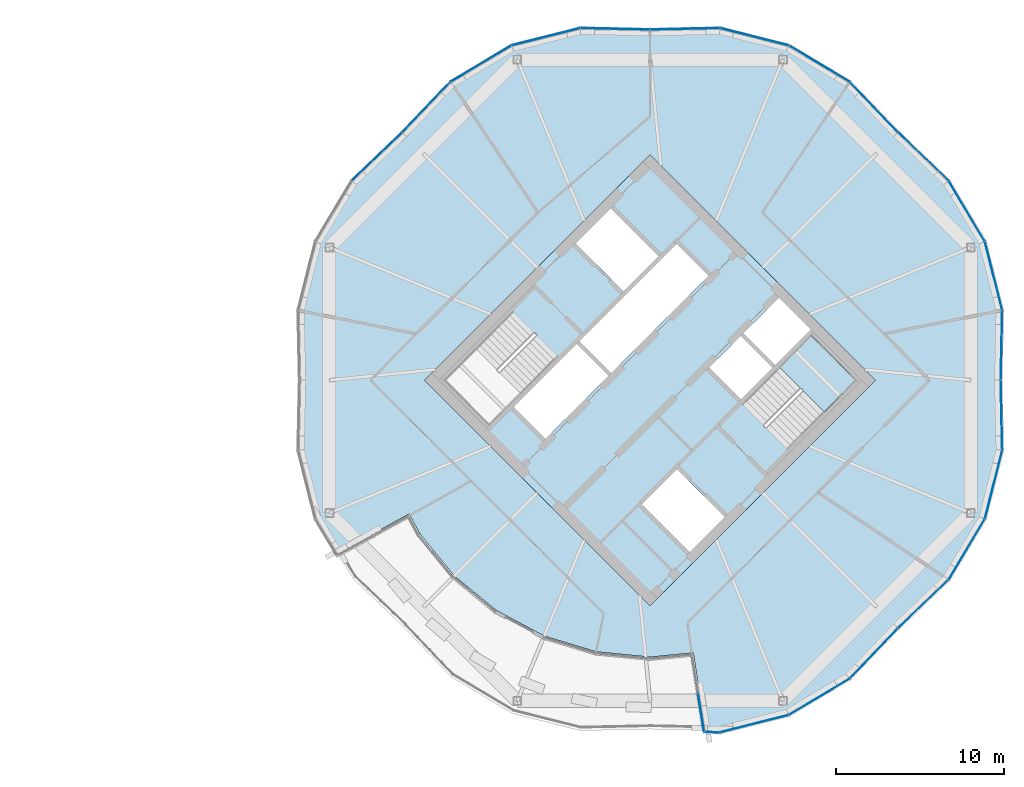
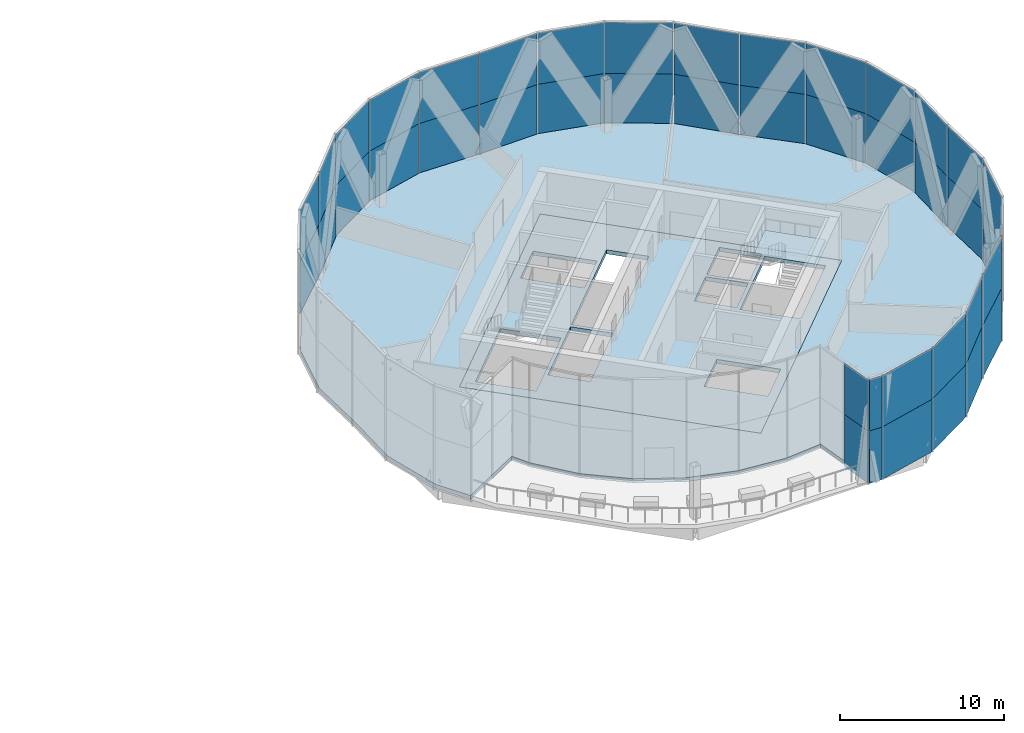
# One storey, part 17 of 26: 44 plates, 3 slabs, 7 elements without a shape of their own.
"""IFC4 building model written with IfcOpenShell, lengths in metres."""

import ifcopenshell
import ifcopenshell.guid

model = None  # the IFC model being written
_history = None  # IfcOwnerHistory: only IFC2X3 demands one
_inside = {}  # id of a spatial element -> (the spatial element, [elements in it])
_under = {}  # id of a project, library or spatial element -> (it, [spatial elements below it])
_declared = {}  # id of a project -> (the project, [libraries it declares])
_typed = {}  # id of a type object -> (the type object, [elements of that type])
_made_of = {}  # id of a material, layer set ... -> (it, [elements and type objects made of it])


def new_model(schema):
    """Start an empty IFC model of exactly this schema.

    Asked for "IFC4X3", IfcOpenShell would pick the latest addendum, in which some entities
    have other attributes; the version numbers below select the first issue.
    IFC2X3 requires an IfcOwnerHistory on every rooted entity: one is made here for all.
    """
    global model, _history
    if schema == "IFC4X3":
        model = ifcopenshell.file(schema_version=(4, 3, 0, 0))
    else:
        model = ifcopenshell.file(schema=schema)
    _inside.clear()
    _under.clear()
    _declared.clear()
    _typed.clear()
    _made_of.clear()
    _history = None
    if model.schema == "IFC2X3":
        org = make("IfcOrganization", Name="unknown")
        user = make(
            "IfcPersonAndOrganization",
            ThePerson=make("IfcPerson", FamilyName="unknown"),
            TheOrganization=org,
        )
        app = make(
            "IfcApplication",
            ApplicationDeveloper=org,
            Version="unknown",
            ApplicationFullName="unknown",
            ApplicationIdentifier="unknown",
        )
        _history = make(
            "IfcOwnerHistory",
            OwningUser=user,
            OwningApplication=app,
            ChangeAction="ADDED",
            CreationDate=0,
        )
    return model


def make(cls, **values):
    """One entity of the class cls with the attributes given. An attribute that is None is left unset."""
    return model.create_entity(
        cls, **{name: value for name, value in values.items() if value is not None}
    )


def rooted(cls, **values):
    """An entity with a GlobalId (a new one), such as an element, a storey or a relation."""
    return make(cls, GlobalId=ifcopenshell.guid.new(), OwnerHistory=_history, **values)


def si_unit(unit_type, name, prefix=None):
    """IfcSIUnit, for example si_unit("LENGTHUNIT", "METRE", prefix="MILLI")."""
    return make("IfcSIUnit", UnitType=unit_type, Prefix=prefix, Name=name)


def assignment(units):
    """IfcUnitAssignment: the units of a project."""
    return None if units is None else make("IfcUnitAssignment", Units=units)


def point(xyz):
    """IfcCartesianPoint."""
    return None if xyz is None else make("IfcCartesianPoint", Coordinates=xyz)


def direction(xyz):
    """IfcDirection."""
    return None if xyz is None else make("IfcDirection", DirectionRatios=xyz)


def frame(location, z_axis=None, x_axis=None):
    """IfcAxis2Placement3D, a coordinate frame: its origin and axes. An axis left out is left unset."""
    return make(
        "IfcAxis2Placement3D",
        Location=point(location),
        Axis=direction(z_axis),
        RefDirection=direction(x_axis),
    )


def frame_2d(location, x_axis=None):
    """IfcAxis2Placement2D, a coordinate frame in the plane: its origin and x axis."""
    return make(
        "IfcAxis2Placement2D", Location=point(location), RefDirection=direction(x_axis)
    )


def origin():
    """The frame at (0, 0, 0) with its axes left unset."""
    return frame((0.0, 0.0, 0.0))


def origin_2d():
    """The frame at (0, 0) in the plane with its x axis left unset."""
    return frame_2d((0.0, 0.0))


def place(relative_to, where):
    """IfcLocalPlacement: puts the frame where relative to a parent placement (None: the world)."""
    return make(
        "IfcLocalPlacement", PlacementRelTo=relative_to, RelativePlacement=where
    )


def context(
    kind, dimensions, precision=None, world=None, true_north=None, identifier=None
):
    """IfcGeometricRepresentationContext, for example the 3D "Model" context."""
    return make(
        "IfcGeometricRepresentationContext",
        ContextIdentifier=identifier,
        ContextType=kind,
        CoordinateSpaceDimension=dimensions,
        Precision=precision,
        WorldCoordinateSystem=world,
        TrueNorth=true_north,
    )


def subcontext(parent, identifier, kind, view, scale=None):
    """IfcGeometricRepresentationSubContext, for example "Body" below "Model"."""
    return make(
        "IfcGeometricRepresentationSubContext",
        ContextIdentifier=identifier,
        ContextType=kind,
        ParentContext=parent,
        TargetScale=scale,
        TargetView=view,
    )


def project(units=None, contexts=None):
    """IfcProject with its units and contexts."""
    return rooted(
        "IfcProject",
        Name="project",
        RepresentationContexts=contexts,
        UnitsInContext=assignment(units),
    )


def spatial(cls, under=None, at=None, **own):
    """A site, building, storey or space (cls), placed at a placement, below another one or the project."""
    s = rooted(cls, ObjectPlacement=at, **own)
    if under is not None:
        _under.setdefault(under.id(), (under, []))[1].append(s)
    return s


def polyline(points):
    """IfcPolyline through the points."""
    return make("IfcPolyline", Points=[point(p) for p in points])


def profile(cls, at=None, kind="AREA", **sizes):
    """A parametric profile (cls). Its sizes go by their IFC names, for example OverallWidth=200.0."""
    return make(cls, ProfileType=kind, Position=at, **sizes)


def rectangle(**sizes):
    """IfcRectangleProfileDef."""
    return profile("IfcRectangleProfileDef", **sizes)


def outline(outer, holes=None, kind="AREA"):
    """IfcArbitraryClosedProfileDef: a profile drawn as a closed curve; with holes, ...WithVoids."""
    if holes is None:
        return make("IfcArbitraryClosedProfileDef", ProfileType=kind, OuterCurve=outer)
    return make(
        "IfcArbitraryProfileDefWithVoids",
        ProfileType=kind,
        OuterCurve=outer,
        InnerCurves=holes,
    )


def extrude(swept, where, along, depth):
    """IfcExtrudedAreaSolid: the profile swept, set in the frame where, extruded along a direction by depth."""
    return make(
        "IfcExtrudedAreaSolid",
        SweptArea=swept,
        Position=where,
        ExtrudedDirection=direction(along),
        Depth=depth,
    )


def shape(context_of_items, identifier, shape_type, items):
    """IfcShapeRepresentation: the items that make up one representation, for example the "Body"."""
    return make(
        "IfcShapeRepresentation",
        ContextOfItems=context_of_items,
        RepresentationIdentifier=identifier,
        RepresentationType=shape_type,
        Items=items,
    )


def material(Name=None, Category=None):
    """IfcMaterial."""
    return make("IfcMaterial", Name=Name, Category=Category)


def layer(
    of_material, thickness, ventilated=None, Name=None, Category=None, Priority=None
):
    """IfcMaterialLayer: one layer of a wall or slab, of a material (None: an air gap)."""
    return make(
        "IfcMaterialLayer",
        Material=of_material,
        LayerThickness=thickness,
        IsVentilated=ventilated,
        Name=Name,
        Category=Category,
        Priority=Priority,
    )


def layer_set(layers, Name=None):
    """IfcMaterialLayerSet."""
    return make("IfcMaterialLayerSet", MaterialLayers=layers, LayerSetName=Name)


def made_of(thing, what):
    """Note that an element or type object is made of a material, layer set ...; save() writes the relation."""
    if what is not None:
        _made_of.setdefault(what.id(), (what, []))[1].append(thing)
    return thing


def type_object(cls, material=None, **own):
    """A type object (cls), such as IfcWallType, which elements share."""
    return made_of(rooted(cls, **own), material)


def element(
    cls,
    number,
    at=None,
    inside=None,
    cuts=None,
    type_object=None,
    material=None,
    context=None,
    identifier="Body",
    shape_type=None,
    held_by="IfcProductDefinitionShape",
    body=None,
    shapes=None,
    **own,
):
    """One element of the class cls, such as IfcWall. Its Tag is "e" and its number.

    at: its placement. inside: the storey or other place that contains it. cuts: it is an
    opening in that element (IfcRelVoidsElement). A single representation is given by context,
    identifier, shape_type and body (its items); several are given by shapes. held_by: the class
    of the entity that holds the representations. save() writes the other relations.
    """
    e = rooted(cls, Tag="e%d" % number, ObjectPlacement=at, **own)
    if body is not None:
        shapes = [shape(context, identifier, shape_type, body)]
    if shapes is not None:
        e.Representation = make(held_by, Representations=shapes)
    if inside is not None:
        _inside.setdefault(inside.id(), (inside, []))[1].append(e)
    if cuts is not None:
        rooted(
            "IfcRelVoidsElement", RelatingBuildingElement=cuts, RelatedOpeningElement=e
        )
    if type_object is not None:
        _typed.setdefault(type_object.id(), (type_object, []))[1].append(e)
    return made_of(e, material)


def aggregate(whole, parts):
    """IfcRelAggregates: a whole, such as a stair, and the parts it consists of."""
    return rooted("IfcRelAggregates", RelatingObject=whole, RelatedObjects=parts)


def save(model, path):
    """Write the relations noted so far, then the file.

    IfcRelAggregates (storeys below a building ...), IfcRelContainedInSpatialStructure (elements
    in a storey), IfcRelDefinesByType, IfcRelAssociatesMaterial and IfcRelDeclares: one each for
    every whole, place, type object, material and project.
    """
    for whole, parts in _under.values():
        aggregate(whole, parts)
    for where, things in _inside.values():
        rooted(
            "IfcRelContainedInSpatialStructure",
            RelatedElements=things,
            RelatingStructure=where,
        )
    for kind, things in _typed.values():
        rooted("IfcRelDefinesByType", RelatedObjects=things, RelatingType=kind)
    for what, things in _made_of.values():
        rooted("IfcRelAssociatesMaterial", RelatedObjects=things, RelatingMaterial=what)
    for by, libraries in _declared.values():
        rooted("IfcRelDeclares", RelatingContext=by, RelatedDefinitions=libraries)
    model.write(path)


model = new_model("IFC4")

# Units and contexts
model_context = context("Model", 3, precision=1e-05, world=origin(), true_north=direction((0.0, 1.0)))
body_context = subcontext(model_context, "Body", "Model", "MODEL_VIEW")
ifc_project = project(units=[si_unit("LENGTHUNIT", "METRE"), si_unit("AREAUNIT", "SQUARE_METRE"), si_unit("VOLUMEUNIT", "CUBIC_METRE"), si_unit("PLANEANGLEUNIT", "RADIAN"), si_unit("MASSUNIT", "GRAM", prefix="KILO")], contexts=[model_context])

# Site, building, storey
site_placement = place(None, origin())
site = spatial("IfcSite", under=ifc_project, at=site_placement, CompositionType="ELEMENT")
building_placement = place(site_placement, origin())
building = spatial("IfcBuilding", under=site, at=building_placement, Name="Ogive Gate Towers", CompositionType="ELEMENT")
storey_placement = place(building_placement, frame((0.0, 0.0, 208.5)))
storey = spatial("IfcBuildingStorey", under=building, at=storey_placement, Name="L50", CompositionType="ELEMENT", Elevation=208.5)

# Slabs
ifc_material_1 = material(Name="Concrete C40/50", Category="concrete")
ifc_layer_1 = layer(ifc_material_1, 0.300048828125)
ifc_layer_set_1 = layer_set([ifc_layer_1], Name="Core slab C40/50 300 mm")
slab_type_1 = type_object("IfcSlabType", Name="Core slab C40/50 300 mm", PredefinedType="FLOOR", material=ifc_layer_set_1)
slab_1_placement = place(storey_placement, frame((0.0, 0.0, -0.300048828125)))
element("IfcSlab", 1, at=slab_1_placement, inside=storey, type_object=slab_type_1, Name="T2 L50 core slab", PredefinedType="FLOOR", context=body_context, shape_type="SweptSolid", body=[
    extrude(outline(polyline([(36.0, -13.43505859375), (22.56494140625, 0.0), (36.0, 13.43505859375), (49.43505859375, 0.0), (36.0, -13.43505859375)]), holes=[polyline([(29.759765625, -3.482421875), (33.50732421875, 0.26513671875), (31.615966796875, 2.15673828125), (27.868408203125, -1.591064453125), (29.759765625, -3.482421875)]), polyline([(31.792724609375, 2.33349609375), (33.68408203125, 0.44189453125), (39.482421875, 6.240234375), (37.591064453125, 8.131591796875), (31.792724609375, 2.33349609375)]), polyline([(41.3916015625, 2.634033203125), (39.517822265625, 0.760009765625), (41.409423828125, -1.13134765625), (43.283203125, 0.742431640625), (41.3916015625, 2.634033203125)]), polyline([(45.563720703125, 3.02294921875), (43.672119140625, 4.914306640625), (41.568603515625, 2.810791015625), (43.4599609375, 0.919189453125), (45.563720703125, 3.02294921875)]), polyline([(34.408935546875, 5.30322265625), (36.4951171875, 7.389404296875), (33.64892578125, 10.2353515625), (31.56298828125, 8.1494140625), (34.408935546875, 5.30322265625)]), polyline([(35.5048828125, -7.389404296875), (38.35107421875, -10.2353515625), (40.43701171875, -8.1494140625), (37.591064453125, -5.30322265625), (35.5048828125, -7.389404296875)]), polyline([(26.40087890625, -2.70458984375), (30.512939453125, 1.406982421875), (27.80810546875, 4.11181640625), (23.6962890625, 0.0), (26.40087890625, -2.70458984375)]), polyline([(48.3037109375, 0.0), (45.59912109375, 2.70458984375), (41.487060546875, -1.406982421875), (44.19189453125, -4.11181640625), (48.3037109375, 0.0)])]), origin(), (0.0, 0.0, 1.0), 0.300048828125),
])
ifc_material_2 = material(Name="Concrete C35/45", Category="concrete")
ifc_layer_2 = layer(ifc_material_2, 0.300048828125)
ifc_layer_set_2 = layer_set([ifc_layer_2], Name="Floor slab 300")
slab_type_2 = type_object("IfcSlabType", Name="Floor slab 300", PredefinedType="FLOOR", material=ifc_layer_set_2)
slab_2_placement = place(storey_placement, frame((0.0, 0.0, -0.300048828125)))
element("IfcSlab", 2, at=slab_2_placement, inside=storey, type_object=slab_type_2, Name="T2/L50/SSL001", PredefinedType="FLOOR", context=body_context, shape_type="SweptSolid", body=[
    extrude(outline(polyline([(15.109375, -4.155517578125), (16.136474609375, -8.227783203125), (17.385009765625, -10.318359375), (21.636474609375, -7.961669921875), (22.28076171875, -9.1669921875), (24.332763671875, -11.667236328125), (26.8330078125, -13.71923828125), (29.685791015625, -15.243896484375), (32.781005859375, -16.182861328125), (36.0, -16.5), (38.5732421875, -16.24658203125), (39.305908203125, -20.8720703125), (40.155517578125, -20.890625), (44.227783203125, -19.863525390625), (47.833740234375, -17.710205078125), (50.707763671875, -14.707763671875), (53.710205078125, -11.833740234375), (55.863525390625, -8.227783203125), (56.890625, -4.155517578125), (56.800048828125, 0.0), (56.890625, 4.155517578125), (55.863525390625, 8.227783203125), (53.710205078125, 11.833740234375), (50.707763671875, 14.707763671875), (47.833740234375, 17.710205078125), (44.227783203125, 19.863525390625), (40.155517578125, 20.890625), (36.0, 20.800048828125), (31.844482421875, 20.890625), (27.772216796875, 19.863525390625), (24.166259765625, 17.710205078125), (21.292236328125, 14.707763671875), (18.289794921875, 11.833740234375), (16.136474609375, 8.227783203125), (15.109375, 4.155517578125), (15.199951171875, 0.0), (15.109375, -4.155517578125)]), holes=[polyline([(49.43505859375, 0.0), (36.0, -13.43505859375), (22.56494140625, 0.0), (36.0, 13.43505859375), (49.43505859375, 0.0)])]), origin(), (0.0, 0.0, 1.0), 0.300048828125),
])

# Stair, slab
stair_type = type_object("IfcStairType", Name="Escape stair 1840 wide", PredefinedType="HALF_TURN_STAIR", material=ifc_material_1)
stair_placement = place(storey_placement, origin())
stair = element("IfcStair", 3, at=stair_placement, inside=storey, type_object=stair_type, Name="L50 Escape stair 2", PredefinedType="HALF_TURN_STAIR")
ifc_layer_3 = layer(ifc_material_1, 0.199951171875)
ifc_layer_set_3 = layer_set([ifc_layer_3], Name="Stair landing 200 mm")
slab_type_3 = type_object("IfcSlabType", Name="Stair landing 200 mm", PredefinedType="LANDING", material=ifc_layer_set_3)
slab_3_placement = place(storey_placement, frame((0.0, 0.0, 1.75)))
slab_3 = element("IfcSlab", 4, at=slab_3_placement, type_object=slab_type_3, Name="ST2 landing 1", PredefinedType="LANDING", context=body_context, shape_type="SweptSolid", body=[
    extrude(outline(polyline([(46.3955078125, -1.908203125), (48.3037109375, 0.0), (45.598876953125, 2.70458984375), (43.690673828125, 0.79638671875), (46.3955078125, -1.908203125)])), origin(), (0.0, 0.0, 1.0), 0.199951171875),
])
aggregate(stair, [slab_3])

# Curtain wall, plates
ifc_material_3 = material(Name="Pale metal aluminium", Category="aluminium")
curtain_wall_type = type_object("IfcCurtainWallType", Name="Tower unitised wall, high zone", PredefinedType="NOTDEFINED", material=ifc_material_3)
curtain_wall_1_placement = place(storey_placement, origin())
curtain_wall_1 = element("IfcCurtainWall", 5, at=curtain_wall_1_placement, inside=storey, type_object=curtain_wall_type, Name="CW2 T2 ECW04", PredefinedType="NOTDEFINED")
ifc_material_4 = material(Name="Clear glass", Category="glass")
ifc_layer_4 = layer(ifc_material_4, 0.028076171875)
ifc_layer_set_4 = layer_set([ifc_layer_4], Name="Tower unitised wall, high zone glass panel")
plate_type = type_object("IfcPlateType", Name="Tower unitised wall, high zone glass panel", PredefinedType="CURTAIN_PANEL", material=ifc_layer_set_4)
plate_1_placement = place(storey_placement, frame((52.282470703125, 13.3388671875, -0.300048828125), z_axis=(0.0, 0.0, 1.0), x_axis=(0.722376031129, -0.691500448047, 0.0)))
plate_1 = element("IfcPlate", 6, at=plate_1_placement, type_object=plate_type, Name="CW2 glass panel", PredefinedType="CURTAIN_PANEL", context=body_context, shape_type="SweptSolid", body=[
    extrude(rectangle(XDim=4.10986328125, YDim=0.028076171875, at=origin_2d()), origin(), (0.0, 0.0, 1.0), 3.89990234375),
])
plate_2_placement = place(storey_placement, frame((52.282470703125, 13.3388671875, 3.60009765625), z_axis=(0.0, 0.0, 1.0), x_axis=(0.722376031129, -0.691500448047, 0.0)))
plate_2 = element("IfcPlate", 7, at=plate_2_placement, type_object=plate_type, Name="CW2 glass panel", PredefinedType="CURTAIN_PANEL", context=body_context, shape_type="SweptSolid", body=[
    extrude(rectangle(XDim=4.10986328125, YDim=0.028076171875, at=origin_2d()), origin(), (0.0, 0.0, 1.0), 3.803955078125),
])
plate_3_placement = place(storey_placement, frame((54.873046875, 10.08154296875, -0.300048828125), z_axis=(0.0, 0.0, 1.0), x_axis=(0.512672377733, -0.858584319161, 0.0)))
plate_3 = element("IfcPlate", 8, at=plate_3_placement, type_object=plate_type, Name="CW2 glass panel", PredefinedType="CURTAIN_PANEL", context=body_context, shape_type="SweptSolid", body=[
    extrude(rectangle(XDim=4.166015625, YDim=0.028076171875, at=origin_2d()), origin(), (0.0, 0.0, 1.0), 3.89990234375),
])
plate_4_placement = place(storey_placement, frame((54.873046875, 10.08154296875, 3.60009765625), z_axis=(0.0, 0.0, 1.0), x_axis=(0.512672377733, -0.858584319161, 0.0)))
plate_4 = element("IfcPlate", 9, at=plate_4_placement, type_object=plate_type, Name="CW2 glass panel", PredefinedType="CURTAIN_PANEL", context=body_context, shape_type="SweptSolid", body=[
    extrude(rectangle(XDim=4.166015625, YDim=0.028076171875, at=origin_2d()), origin(), (0.0, 0.0, 1.0), 3.803955078125),
])
plate_5_placement = place(storey_placement, frame((56.473876953125, 6.216552734375, -0.300048828125), z_axis=(0.0, 0.0, 1.0), x_axis=(0.244613602588, -0.969620639956, 0.0)))
plate_5 = element("IfcPlate", 10, at=plate_5_placement, type_object=plate_type, Name="CW2 glass panel", PredefinedType="CURTAIN_PANEL", context=body_context, shape_type="SweptSolid", body=[
    extrude(rectangle(XDim=4.166015625, YDim=0.028076171875, at=origin_2d()), origin(), (0.0, 0.0, 1.0), 3.89990234375),
])
plate_6_placement = place(storey_placement, frame((56.473876953125, 6.216552734375, 3.60009765625), z_axis=(0.0, 0.0, 1.0), x_axis=(0.244613602588, -0.969620639956, 0.0)))
plate_6 = element("IfcPlate", 11, at=plate_6_placement, type_object=plate_type, Name="CW2 glass panel", PredefinedType="CURTAIN_PANEL", context=body_context, shape_type="SweptSolid", body=[
    extrude(rectangle(XDim=4.166015625, YDim=0.028076171875, at=origin_2d()), origin(), (0.0, 0.0, 1.0), 3.803955078125),
])
plate_7_placement = place(storey_placement, frame((56.945556640625, 2.08154296875, -0.300048828125), z_axis=(0.0, 0.0, 1.0), x_axis=(-0.02183233417, -0.999761646186, 0.0)))
plate_7 = element("IfcPlate", 12, at=plate_7_placement, type_object=plate_type, Name="CW2 glass panel", PredefinedType="CURTAIN_PANEL", context=body_context, shape_type="SweptSolid", body=[
    extrude(rectangle(XDim=4.10986328125, YDim=0.028076171875, at=origin_2d()), origin(), (0.0, 0.0, 1.0), 3.89990234375),
])
plate_8_placement = place(storey_placement, frame((56.945556640625, 2.08154296875, 3.60009765625), z_axis=(0.0, 0.0, 1.0), x_axis=(-0.02183233417, -0.999761646186, 0.0)))
plate_8 = element("IfcPlate", 13, at=plate_8_placement, type_object=plate_type, Name="CW2 glass panel", PredefinedType="CURTAIN_PANEL", context=body_context, shape_type="SweptSolid", body=[
    extrude(rectangle(XDim=4.10986328125, YDim=0.028076171875, at=origin_2d()), origin(), (0.0, 0.0, 1.0), 3.803955078125),
])
aggregate(curtain_wall_1, [plate_1, plate_2, plate_3, plate_4, plate_5, plate_6, plate_7, plate_8])

curtain_wall_2_placement = place(storey_placement, origin())
curtain_wall_2 = element("IfcCurtainWall", 14, at=curtain_wall_2_placement, inside=storey, type_object=curtain_wall_type, Name="CW2 T2 ECW05", PredefinedType="NOTDEFINED")
plate_9_placement = place(storey_placement, frame((38.08154296875, 20.945556640625, -0.300048828125), z_axis=(0.0, 0.0, 1.0), x_axis=(0.999761646186, 0.02183233417, 0.0)))
plate_9 = element("IfcPlate", 15, at=plate_9_placement, type_object=plate_type, Name="CW2 glass panel", PredefinedType="CURTAIN_PANEL", context=body_context, shape_type="SweptSolid", body=[
    extrude(rectangle(XDim=4.10986328125, YDim=0.028076171875, at=origin_2d()), origin(), (0.0, 0.0, 1.0), 3.89990234375),
])
plate_10_placement = place(storey_placement, frame((38.08154296875, 20.945556640625, 3.60009765625), z_axis=(0.0, 0.0, 1.0), x_axis=(0.999761646186, 0.02183233417, 0.0)))
plate_10 = element("IfcPlate", 16, at=plate_10_placement, type_object=plate_type, Name="CW2 glass panel", PredefinedType="CURTAIN_PANEL", context=body_context, shape_type="SweptSolid", body=[
    extrude(rectangle(XDim=4.10986328125, YDim=0.028076171875, at=origin_2d()), origin(), (0.0, 0.0, 1.0), 3.803955078125),
])
plate_11_placement = place(storey_placement, frame((42.216552734375, 20.473876953125, -0.300048828125), z_axis=(0.0, 0.0, 1.0), x_axis=(0.969620639956, -0.244613602588, 0.0)))
plate_11 = element("IfcPlate", 17, at=plate_11_placement, type_object=plate_type, Name="CW2 glass panel", PredefinedType="CURTAIN_PANEL", context=body_context, shape_type="SweptSolid", body=[
    extrude(rectangle(XDim=4.166015625, YDim=0.028076171875, at=origin_2d()), origin(), (0.0, 0.0, 1.0), 3.89990234375),
])
plate_12_placement = place(storey_placement, frame((42.216552734375, 20.473876953125, 3.60009765625), z_axis=(0.0, 0.0, 1.0), x_axis=(0.969620639956, -0.244613602588, 0.0)))
plate_12 = element("IfcPlate", 18, at=plate_12_placement, type_object=plate_type, Name="CW2 glass panel", PredefinedType="CURTAIN_PANEL", context=body_context, shape_type="SweptSolid", body=[
    extrude(rectangle(XDim=4.166015625, YDim=0.028076171875, at=origin_2d()), origin(), (0.0, 0.0, 1.0), 3.803955078125),
])
plate_13_placement = place(storey_placement, frame((46.08154296875, 18.873046875, -0.300048828125), z_axis=(0.0, 0.0, 1.0), x_axis=(0.858584319161, -0.512672377733, 0.0)))
plate_13 = element("IfcPlate", 19, at=plate_13_placement, type_object=plate_type, Name="CW2 glass panel", PredefinedType="CURTAIN_PANEL", context=body_context, shape_type="SweptSolid", body=[
    extrude(rectangle(XDim=4.166015625, YDim=0.028076171875, at=origin_2d()), origin(), (0.0, 0.0, 1.0), 3.89990234375),
])
plate_14_placement = place(storey_placement, frame((46.08154296875, 18.873046875, 3.60009765625), z_axis=(0.0, 0.0, 1.0), x_axis=(0.858584319161, -0.512672377733, 0.0)))
plate_14 = element("IfcPlate", 20, at=plate_14_placement, type_object=plate_type, Name="CW2 glass panel", PredefinedType="CURTAIN_PANEL", context=body_context, shape_type="SweptSolid", body=[
    extrude(rectangle(XDim=4.166015625, YDim=0.028076171875, at=origin_2d()), origin(), (0.0, 0.0, 1.0), 3.803955078125),
])
plate_15_placement = place(storey_placement, frame((49.3388671875, 16.282470703125, -0.300048828125), z_axis=(0.0, 0.0, 1.0), x_axis=(0.691500448047, -0.722376031129, 0.0)))
plate_15 = element("IfcPlate", 21, at=plate_15_placement, type_object=plate_type, Name="CW2 glass panel", PredefinedType="CURTAIN_PANEL", context=body_context, shape_type="SweptSolid", body=[
    extrude(rectangle(XDim=4.10986328125, YDim=0.028076171875, at=origin_2d()), origin(), (0.0, 0.0, 1.0), 3.89990234375),
])
plate_16_placement = place(storey_placement, frame((49.3388671875, 16.282470703125, 3.60009765625), z_axis=(0.0, 0.0, 1.0), x_axis=(0.691500448047, -0.722376031129, 0.0)))
plate_16 = element("IfcPlate", 22, at=plate_16_placement, type_object=plate_type, Name="CW2 glass panel", PredefinedType="CURTAIN_PANEL", context=body_context, shape_type="SweptSolid", body=[
    extrude(rectangle(XDim=4.10986328125, YDim=0.028076171875, at=origin_2d()), origin(), (0.0, 0.0, 1.0), 3.803955078125),
])
aggregate(curtain_wall_2, [plate_9, plate_10, plate_11, plate_12, plate_13, plate_14, plate_15, plate_16])

curtain_wall_3_placement = place(storey_placement, origin())
curtain_wall_3 = element("IfcCurtainWall", 23, at=curtain_wall_3_placement, inside=storey, type_object=curtain_wall_type, Name="CW2 T2 ECW06", PredefinedType="NOTDEFINED")
plate_17_placement = place(storey_placement, frame((22.6611328125, 16.282470703125, -0.300048828125), z_axis=(0.0, 0.0, 1.0), x_axis=(0.691500448047, 0.722376031129, 0.0)))
plate_17 = element("IfcPlate", 24, at=plate_17_placement, type_object=plate_type, Name="CW2 glass panel", PredefinedType="CURTAIN_PANEL", context=body_context, shape_type="SweptSolid", body=[
    extrude(rectangle(XDim=4.10986328125, YDim=0.028076171875, at=origin_2d()), origin(), (0.0, 0.0, 1.0), 3.89990234375),
])
plate_18_placement = place(storey_placement, frame((22.6611328125, 16.282470703125, 3.60009765625), z_axis=(0.0, 0.0, 1.0), x_axis=(0.691500448047, 0.722376031129, 0.0)))
plate_18 = element("IfcPlate", 25, at=plate_18_placement, type_object=plate_type, Name="CW2 glass panel", PredefinedType="CURTAIN_PANEL", context=body_context, shape_type="SweptSolid", body=[
    extrude(rectangle(XDim=4.10986328125, YDim=0.028076171875, at=origin_2d()), origin(), (0.0, 0.0, 1.0), 3.803955078125),
])
plate_19_placement = place(storey_placement, frame((25.91845703125, 18.873046875, -0.300048828125), z_axis=(0.0, 0.0, 1.0), x_axis=(0.858584319161, 0.512672377733, 0.0)))
plate_19 = element("IfcPlate", 26, at=plate_19_placement, type_object=plate_type, Name="CW2 glass panel", PredefinedType="CURTAIN_PANEL", context=body_context, shape_type="SweptSolid", body=[
    extrude(rectangle(XDim=4.166015625, YDim=0.028076171875, at=origin_2d()), origin(), (0.0, 0.0, 1.0), 3.89990234375),
])
plate_20_placement = place(storey_placement, frame((25.91845703125, 18.873046875, 3.60009765625), z_axis=(0.0, 0.0, 1.0), x_axis=(0.858584319161, 0.512672377733, 0.0)))
plate_20 = element("IfcPlate", 27, at=plate_20_placement, type_object=plate_type, Name="CW2 glass panel", PredefinedType="CURTAIN_PANEL", context=body_context, shape_type="SweptSolid", body=[
    extrude(rectangle(XDim=4.166015625, YDim=0.028076171875, at=origin_2d()), origin(), (0.0, 0.0, 1.0), 3.803955078125),
])
plate_21_placement = place(storey_placement, frame((29.783447265625, 20.473876953125, -0.300048828125), z_axis=(0.0, 0.0, 1.0), x_axis=(0.969620639956, 0.244613602588, 0.0)))
plate_21 = element("IfcPlate", 28, at=plate_21_placement, type_object=plate_type, Name="CW2 glass panel", PredefinedType="CURTAIN_PANEL", context=body_context, shape_type="SweptSolid", body=[
    extrude(rectangle(XDim=4.166015625, YDim=0.028076171875, at=origin_2d()), origin(), (0.0, 0.0, 1.0), 3.89990234375),
])
plate_22_placement = place(storey_placement, frame((29.783447265625, 20.473876953125, 3.60009765625), z_axis=(0.0, 0.0, 1.0), x_axis=(0.969620639956, 0.244613602588, 0.0)))
plate_22 = element("IfcPlate", 29, at=plate_22_placement, type_object=plate_type, Name="CW2 glass panel", PredefinedType="CURTAIN_PANEL", context=body_context, shape_type="SweptSolid", body=[
    extrude(rectangle(XDim=4.166015625, YDim=0.028076171875, at=origin_2d()), origin(), (0.0, 0.0, 1.0), 3.803955078125),
])
plate_23_placement = place(storey_placement, frame((33.91845703125, 20.945556640625, -0.300048828125), z_axis=(0.0, 0.0, 1.0), x_axis=(0.999761646186, -0.02183233417, 0.0)))
plate_23 = element("IfcPlate", 30, at=plate_23_placement, type_object=plate_type, Name="CW2 glass panel", PredefinedType="CURTAIN_PANEL", context=body_context, shape_type="SweptSolid", body=[
    extrude(rectangle(XDim=4.10986328125, YDim=0.028076171875, at=origin_2d()), origin(), (0.0, 0.0, 1.0), 3.89990234375),
])
plate_24_placement = place(storey_placement, frame((33.91845703125, 20.945556640625, 3.60009765625), z_axis=(0.0, 0.0, 1.0), x_axis=(0.999761646186, -0.02183233417, 0.0)))
plate_24 = element("IfcPlate", 31, at=plate_24_placement, type_object=plate_type, Name="CW2 glass panel", PredefinedType="CURTAIN_PANEL", context=body_context, shape_type="SweptSolid", body=[
    extrude(rectangle(XDim=4.10986328125, YDim=0.028076171875, at=origin_2d()), origin(), (0.0, 0.0, 1.0), 3.803955078125),
])
aggregate(curtain_wall_3, [plate_17, plate_18, plate_19, plate_20, plate_21, plate_22, plate_23, plate_24])

curtain_wall_4_placement = place(storey_placement, origin())
curtain_wall_4 = element("IfcCurtainWall", 32, at=curtain_wall_4_placement, inside=storey, type_object=curtain_wall_type, Name="CW2 T2 ECW07", PredefinedType="NOTDEFINED")
plate_25_placement = place(storey_placement, frame((19.717529296875, 13.3388671875, -0.300048828125), z_axis=(0.0, 0.0, 1.0), x_axis=(0.722376031129, 0.691500448047, 0.0)))
plate_25 = element("IfcPlate", 33, at=plate_25_placement, type_object=plate_type, Name="CW2 glass panel", PredefinedType="CURTAIN_PANEL", context=body_context, shape_type="SweptSolid", body=[
    extrude(rectangle(XDim=4.10986328125, YDim=0.028076171875, at=origin_2d()), origin(), (0.0, 0.0, 1.0), 3.89990234375),
])
plate_26_placement = place(storey_placement, frame((19.717529296875, 13.3388671875, 3.60009765625), z_axis=(0.0, 0.0, 1.0), x_axis=(0.722376031129, 0.691500448047, 0.0)))
plate_26 = element("IfcPlate", 34, at=plate_26_placement, type_object=plate_type, Name="CW2 glass panel", PredefinedType="CURTAIN_PANEL", context=body_context, shape_type="SweptSolid", body=[
    extrude(rectangle(XDim=4.10986328125, YDim=0.028076171875, at=origin_2d()), origin(), (0.0, 0.0, 1.0), 3.803955078125),
])
aggregate(curtain_wall_4, [plate_25, plate_26])

curtain_wall_5_placement = place(storey_placement, origin())
curtain_wall_5 = element("IfcCurtainWall", 35, at=curtain_wall_5_placement, inside=storey, type_object=curtain_wall_type, Name="CW2 T2 ECW09", PredefinedType="NOTDEFINED")
plate_27_placement = place(storey_placement, frame((49.3388671875, -16.282470703125, -0.300048828125), z_axis=(0.0, 0.0, 1.0), x_axis=(-0.691500448047, -0.722376031129, 0.0)))
plate_27 = element("IfcPlate", 36, at=plate_27_placement, type_object=plate_type, Name="CW2 glass panel", PredefinedType="CURTAIN_PANEL", context=body_context, shape_type="SweptSolid", body=[
    extrude(rectangle(XDim=4.10986328125, YDim=0.028076171875, at=origin_2d()), origin(), (0.0, 0.0, 1.0), 3.89990234375),
])
plate_28_placement = place(storey_placement, frame((49.3388671875, -16.282470703125, 3.60009765625), z_axis=(0.0, 0.0, 1.0), x_axis=(-0.691500448047, -0.722376031129, 0.0)))
plate_28 = element("IfcPlate", 37, at=plate_28_placement, type_object=plate_type, Name="CW2 glass panel", PredefinedType="CURTAIN_PANEL", context=body_context, shape_type="SweptSolid", body=[
    extrude(rectangle(XDim=4.10986328125, YDim=0.028076171875, at=origin_2d()), origin(), (0.0, 0.0, 1.0), 3.803955078125),
])
plate_29_placement = place(storey_placement, frame((46.08154296875, -18.873046875, -0.300048828125), z_axis=(0.0, 0.0, 1.0), x_axis=(-0.858584319161, -0.512672377733, 0.0)))
plate_29 = element("IfcPlate", 38, at=plate_29_placement, type_object=plate_type, Name="CW2 glass panel", PredefinedType="CURTAIN_PANEL", context=body_context, shape_type="SweptSolid", body=[
    extrude(rectangle(XDim=4.166015625, YDim=0.028076171875, at=origin_2d()), origin(), (0.0, 0.0, 1.0), 3.89990234375),
])
plate_30_placement = place(storey_placement, frame((46.08154296875, -18.873046875, 3.60009765625), z_axis=(0.0, 0.0, 1.0), x_axis=(-0.858584319161, -0.512672377733, 0.0)))
plate_30 = element("IfcPlate", 39, at=plate_30_placement, type_object=plate_type, Name="CW2 glass panel", PredefinedType="CURTAIN_PANEL", context=body_context, shape_type="SweptSolid", body=[
    extrude(rectangle(XDim=4.166015625, YDim=0.028076171875, at=origin_2d()), origin(), (0.0, 0.0, 1.0), 3.803955078125),
])
plate_31_placement = place(storey_placement, frame((42.216552734375, -20.473876953125, -0.300048828125), z_axis=(0.0, 0.0, 1.0), x_axis=(-0.969620639956, -0.244613602588, 0.0)))
plate_31 = element("IfcPlate", 40, at=plate_31_placement, type_object=plate_type, Name="CW2 glass panel", PredefinedType="CURTAIN_PANEL", context=body_context, shape_type="SweptSolid", body=[
    extrude(rectangle(XDim=4.166015625, YDim=0.028076171875, at=origin_2d()), origin(), (0.0, 0.0, 1.0), 3.89990234375),
])
plate_32_placement = place(storey_placement, frame((42.216552734375, -20.473876953125, 3.60009765625), z_axis=(0.0, 0.0, 1.0), x_axis=(-0.969620639956, -0.244613602588, 0.0)))
plate_32 = element("IfcPlate", 41, at=plate_32_placement, type_object=plate_type, Name="CW2 glass panel", PredefinedType="CURTAIN_PANEL", context=body_context, shape_type="SweptSolid", body=[
    extrude(rectangle(XDim=4.166015625, YDim=0.028076171875, at=origin_2d()), origin(), (0.0, 0.0, 1.0), 3.803955078125),
])
plate_33_placement = place(storey_placement, frame((39.6982421875, -20.980712890625, -0.300048828125), z_axis=(0.0, 0.0, 1.0), x_axis=(-0.999760883485, 0.021867232422, 0.0)))
plate_33 = element("IfcPlate", 42, at=plate_33_placement, type_object=plate_type, Name="CW2 glass panel", PredefinedType="CURTAIN_PANEL", context=body_context, shape_type="SweptSolid", body=[
    extrude(rectangle(XDim=0.875244140625, YDim=0.028076171875, at=origin_2d()), origin(), (0.0, 0.0, 1.0), 3.89990234375),
])
plate_34_placement = place(storey_placement, frame((39.6982421875, -20.980712890625, 3.60009765625), z_axis=(0.0, 0.0, 1.0), x_axis=(-0.999760883485, 0.021867232422, 0.0)))
plate_34 = element("IfcPlate", 43, at=plate_34_placement, type_object=plate_type, Name="CW2 glass panel", PredefinedType="CURTAIN_PANEL", context=body_context, shape_type="SweptSolid", body=[
    extrude(rectangle(XDim=0.875244140625, YDim=0.028076171875, at=origin_2d()), origin(), (0.0, 0.0, 1.0), 3.803955078125),
])
plate_35_placement = place(storey_placement, frame((39.036376953125, -19.809814453125, -0.300048828125), z_axis=(0.0, 0.0, 1.0), x_axis=(-0.156399988118, 0.987693800586, 0.0)))
plate_35 = element("IfcPlate", 44, at=plate_35_placement, type_object=plate_type, Name="CW2 glass panel", PredefinedType="CURTAIN_PANEL", context=body_context, shape_type="SweptSolid", body=[
    extrude(rectangle(XDim=2.2685546875, YDim=0.028076171875, at=origin_2d()), origin(), (0.0, 0.0, 1.0), 3.89990234375),
])
plate_36_placement = place(storey_placement, frame((39.036376953125, -19.809814453125, 3.60009765625), z_axis=(0.0, 0.0, 1.0), x_axis=(-0.156399988118, 0.987693800586, 0.0)))
plate_36 = element("IfcPlate", 45, at=plate_36_placement, type_object=plate_type, Name="CW2 glass panel", PredefinedType="CURTAIN_PANEL", context=body_context, shape_type="SweptSolid", body=[
    extrude(rectangle(XDim=2.2685546875, YDim=0.028076171875, at=origin_2d()), origin(), (0.0, 0.0, 1.0), 3.803955078125),
])
aggregate(curtain_wall_5, [plate_27, plate_28, plate_29, plate_30, plate_31, plate_32, plate_33, plate_34, plate_35, plate_36])

curtain_wall_6_placement = place(storey_placement, origin())
curtain_wall_6 = element("IfcCurtainWall", 46, at=curtain_wall_6_placement, inside=storey, type_object=curtain_wall_type, Name="CW2 T2 ECW10", PredefinedType="NOTDEFINED")
plate_37_placement = place(storey_placement, frame((56.945556640625, -2.08154296875, -0.300048828125), z_axis=(0.0, 0.0, 1.0), x_axis=(0.02183233417, -0.999761646186, 0.0)))
plate_37 = element("IfcPlate", 47, at=plate_37_placement, type_object=plate_type, Name="CW2 glass panel", PredefinedType="CURTAIN_PANEL", context=body_context, shape_type="SweptSolid", body=[
    extrude(rectangle(XDim=4.10986328125, YDim=0.028076171875, at=origin_2d()), origin(), (0.0, 0.0, 1.0), 3.89990234375),
])
plate_38_placement = place(storey_placement, frame((56.945556640625, -2.08154296875, 3.60009765625), z_axis=(0.0, 0.0, 1.0), x_axis=(0.02183233417, -0.999761646186, 0.0)))
plate_38 = element("IfcPlate", 48, at=plate_38_placement, type_object=plate_type, Name="CW2 glass panel", PredefinedType="CURTAIN_PANEL", context=body_context, shape_type="SweptSolid", body=[
    extrude(rectangle(XDim=4.10986328125, YDim=0.028076171875, at=origin_2d()), origin(), (0.0, 0.0, 1.0), 3.803955078125),
])
plate_39_placement = place(storey_placement, frame((56.473876953125, -6.216552734375, -0.300048828125), z_axis=(0.0, 0.0, 1.0), x_axis=(-0.244613602588, -0.969620639956, 0.0)))
plate_39 = element("IfcPlate", 49, at=plate_39_placement, type_object=plate_type, Name="CW2 glass panel", PredefinedType="CURTAIN_PANEL", context=body_context, shape_type="SweptSolid", body=[
    extrude(rectangle(XDim=4.166015625, YDim=0.028076171875, at=origin_2d()), origin(), (0.0, 0.0, 1.0), 3.89990234375),
])
plate_40_placement = place(storey_placement, frame((56.473876953125, -6.216552734375, 3.60009765625), z_axis=(0.0, 0.0, 1.0), x_axis=(-0.244613602588, -0.969620639956, 0.0)))
plate_40 = element("IfcPlate", 50, at=plate_40_placement, type_object=plate_type, Name="CW2 glass panel", PredefinedType="CURTAIN_PANEL", context=body_context, shape_type="SweptSolid", body=[
    extrude(rectangle(XDim=4.166015625, YDim=0.028076171875, at=origin_2d()), origin(), (0.0, 0.0, 1.0), 3.803955078125),
])
plate_41_placement = place(storey_placement, frame((54.873046875, -10.08154296875, -0.300048828125), z_axis=(0.0, 0.0, 1.0), x_axis=(-0.512672377733, -0.858584319161, 0.0)))
plate_41 = element("IfcPlate", 51, at=plate_41_placement, type_object=plate_type, Name="CW2 glass panel", PredefinedType="CURTAIN_PANEL", context=body_context, shape_type="SweptSolid", body=[
    extrude(rectangle(XDim=4.166015625, YDim=0.028076171875, at=origin_2d()), origin(), (0.0, 0.0, 1.0), 3.89990234375),
])
plate_42_placement = place(storey_placement, frame((54.873046875, -10.08154296875, 3.60009765625), z_axis=(0.0, 0.0, 1.0), x_axis=(-0.512672377733, -0.858584319161, 0.0)))
plate_42 = element("IfcPlate", 52, at=plate_42_placement, type_object=plate_type, Name="CW2 glass panel", PredefinedType="CURTAIN_PANEL", context=body_context, shape_type="SweptSolid", body=[
    extrude(rectangle(XDim=4.166015625, YDim=0.028076171875, at=origin_2d()), origin(), (0.0, 0.0, 1.0), 3.803955078125),
])
plate_43_placement = place(storey_placement, frame((52.282470703125, -13.3388671875, -0.300048828125), z_axis=(0.0, 0.0, 1.0), x_axis=(-0.722376031129, -0.691500448047, 0.0)))
plate_43 = element("IfcPlate", 53, at=plate_43_placement, type_object=plate_type, Name="CW2 glass panel", PredefinedType="CURTAIN_PANEL", context=body_context, shape_type="SweptSolid", body=[
    extrude(rectangle(XDim=4.10986328125, YDim=0.028076171875, at=origin_2d()), origin(), (0.0, 0.0, 1.0), 3.89990234375),
])
plate_44_placement = place(storey_placement, frame((52.282470703125, -13.3388671875, 3.60009765625), z_axis=(0.0, 0.0, 1.0), x_axis=(-0.722376031129, -0.691500448047, 0.0)))
plate_44 = element("IfcPlate", 54, at=plate_44_placement, type_object=plate_type, Name="CW2 glass panel", PredefinedType="CURTAIN_PANEL", context=body_context, shape_type="SweptSolid", body=[
    extrude(rectangle(XDim=4.10986328125, YDim=0.028076171875, at=origin_2d()), origin(), (0.0, 0.0, 1.0), 3.803955078125),
])
aggregate(curtain_wall_6, [plate_37, plate_38, plate_39, plate_40, plate_41, plate_42, plate_43, plate_44])

save(model, "model.ifc")
